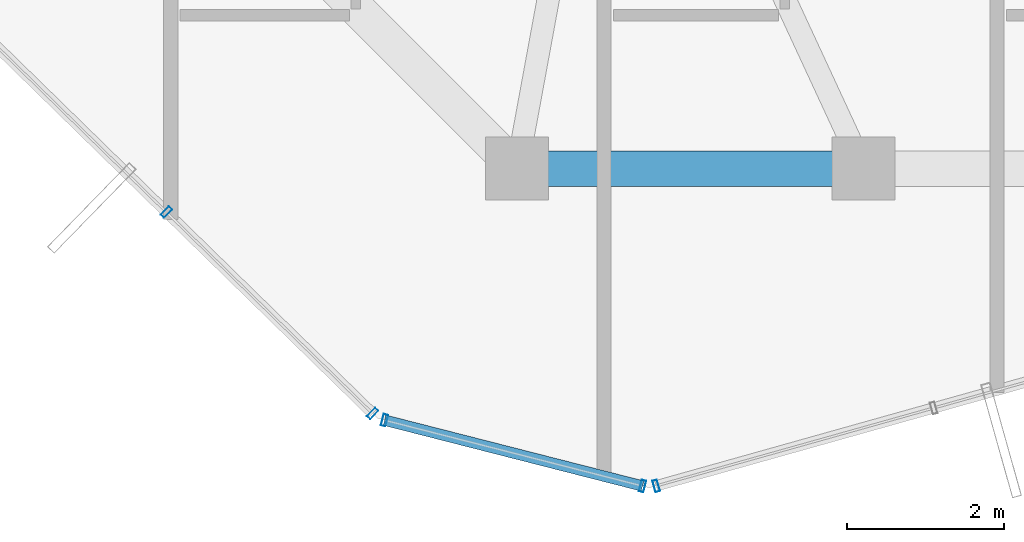
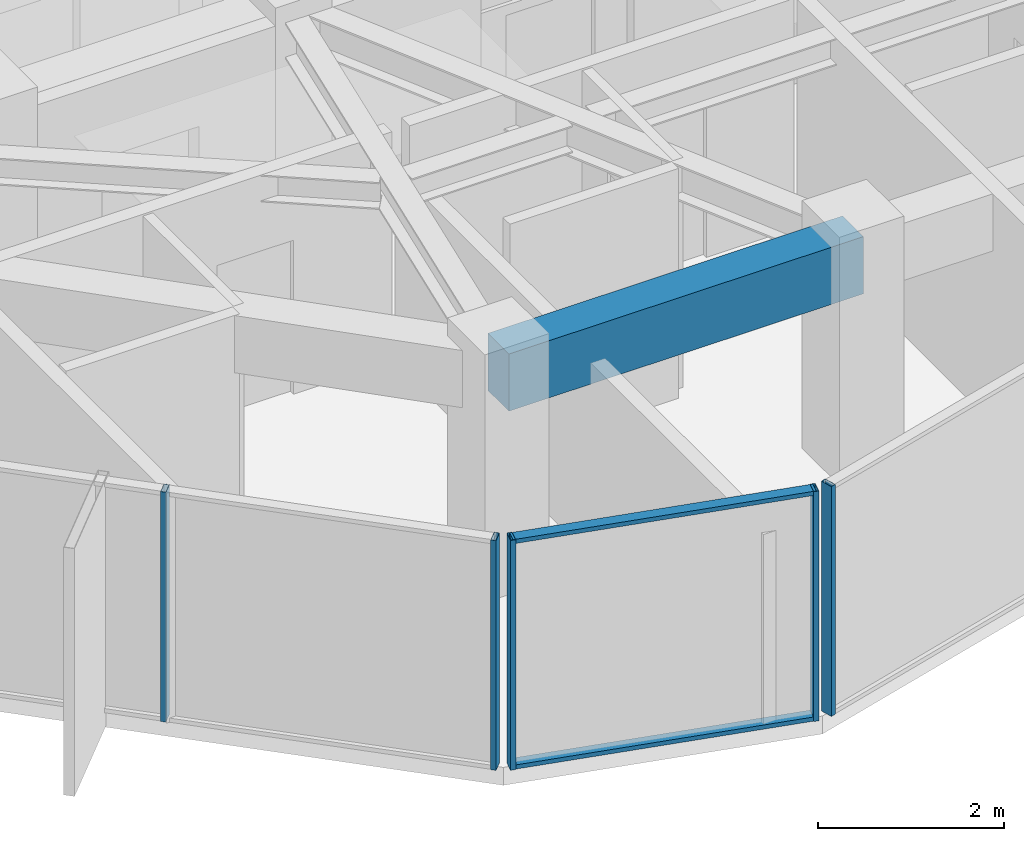
# One storey, part 4 of 29: 7 members, 1 beam, 3 elements without a shape of their own.
"""IFC4 building model written with IfcOpenShell, lengths in metres."""

from ifc_helpers import new_model, si_unit, direction, frame, origin, origin_2d, place, context, subcontext, project, spatial, rectangle, hollow_rectangle, extrude, source, transform, mapped, material, layer, layer_set, material_profile, profile_set, type_object, element, aggregate, save


model = new_model("IFC4")

# Units and contexts
model_context = context("Model", 3, precision=1e-05, world=origin(), true_north=direction((0.0, 1.0)))
body_context = subcontext(model_context, "Body", "Model", "MODEL_VIEW")
ifc_project = project(units=[si_unit("LENGTHUNIT", "METRE"), si_unit("AREAUNIT", "SQUARE_METRE"), si_unit("VOLUMEUNIT", "CUBIC_METRE"), si_unit("PLANEANGLEUNIT", "RADIAN"), si_unit("MASSUNIT", "GRAM", prefix="KILO")], contexts=[model_context])

# Site, building, storey
site_placement = place(None, origin())
site = spatial("IfcSite", under=ifc_project, at=site_placement, CompositionType="ELEMENT")
building_placement = place(site_placement, origin())
building = spatial("IfcBuilding", under=site, at=building_placement, Name="Veraguas Prism Commons", CompositionType="ELEMENT")
storey_placement = place(building_placement, frame((0.0, 0.0, 257.75)))
storey = spatial("IfcBuildingStorey", under=building, at=storey_placement, Name="L73", CompositionType="ELEMENT", Elevation=257.75)

# Beam
ifc_material_1 = material(Name="Concrete C50/60", Category="concrete")
ifc_material_profile_1 = material_profile(ifc_material_1, rectangle(XDim=0.449951171875, YDim=0.75, at=origin_2d()), Name="RC450X750")
ifc_profile_set_1 = profile_set([ifc_material_profile_1], Name="Concrete C50/60")
beam_type = type_object("IfcBeamType", Name="Perimeter Spandrel Upper RC 450x750", PredefinedType="SPANDREL", material=ifc_profile_set_1)
beam_placement = place(storey_placement, frame((19.60009765625, 10.199951171875, 2.639892578125), z_axis=(1.0, 0.0, 0.0), x_axis=(0.0, 1.0, 0.0)))
element("IfcBeam", 1, at=beam_placement, inside=storey, type_object=beam_type, Name="Perimeter Spandrel Beam L73-SP10", PredefinedType="SPANDREL", context=body_context, shape_type="SweptSolid", body=[
    extrude(rectangle(XDim=0.449951171875, YDim=0.75, at=origin_2d()), origin(), (0.0, 0.0, 1.0), 4.39990234375),
])

# Curtain wall, members
ifc_material_2 = material(Name="Anodised aluminium EN AW-6063 T6", Category="aluminium")
ifc_layer = layer(ifc_material_2, 0.14990234375, Name="Unitised Flush Curtain Wall Zone 4", Category="aluminium")
ifc_layer_set = layer_set([ifc_layer], Name="Anodised aluminium EN AW-6063 T6")
curtain_wall_type = type_object("IfcCurtainWallType", Name="Unitised Flush Curtain Wall Zone 4", PredefinedType="NOTDEFINED", material=ifc_layer_set)
curtain_wall_1_placement = place(storey_placement, origin())
curtain_wall_1 = element("IfcCurtainWall", 2, at=curtain_wall_1_placement, inside=storey, type_object=curtain_wall_type, Name="Tower Facade Curtain Wall L73-F4", PredefinedType="NOTDEFINED")
ifc_material_profile_2 = material_profile(ifc_material_2, hollow_rectangle(XDim=0.06005859375, YDim=0.14990234375, WallThickness=0.0029296875, at=origin_2d()), Name="AL60X150X3")
ifc_profile_set_2 = profile_set([ifc_material_profile_2], Name="Anodised aluminium EN AW-6063 T6")
member_type_1 = type_object("IfcMemberType", Name="Curtain Wall Mullion Upper AL 60x150x3", PredefinedType="MULLION", material=ifc_profile_set_2)
shared_shape_1 = source(origin(), body_context, "Body", "SweptSolid", [
    extrude(hollow_rectangle(XDim=0.06005859375, YDim=0.14990234375, WallThickness=0.0029296875, at=origin_2d()), origin(), (0.0, 0.0, 1.0), 3.014892578125),
])
member_1_placement = place(storey_placement, frame((15.14501953125, 9.6484375, 0.0), z_axis=(0.0, 0.0, 1.0), x_axis=(0.715447677779, -0.698666315462, 0.0)))
member_1 = element("IfcMember", 3, at=member_1_placement, type_object=member_type_1, Name="CW-Z4 Mullion 4", PredefinedType="MULLION", context=body_context, shape_type="MappedRepresentation", body=[
    mapped(shared_shape_1, transform((0.0, 0.0, 0.0), scale=1.0)),
])
member_2_placement = place(storey_placement, frame((17.7646484375, 7.09033203125, 0.0), z_axis=(0.0, 0.0, 1.0), x_axis=(0.715447677779, -0.698666315462, 0.0)))
member_2 = element("IfcMember", 4, at=member_2_placement, type_object=member_type_1, Name="CW-Z4 Mullion 5", PredefinedType="MULLION", context=body_context, shape_type="MappedRepresentation", body=[
    mapped(shared_shape_1, transform((0.0, 0.0, 0.0), scale=1.0)),
])
aggregate(curtain_wall_1, [member_1, member_2])

# Curtain wall, member
curtain_wall_2_placement = place(storey_placement, origin())
curtain_wall_2 = element("IfcCurtainWall", 5, at=curtain_wall_2_placement, inside=storey, type_object=curtain_wall_type, Name="Tower Facade Curtain Wall L73-F5", PredefinedType="NOTDEFINED")
member_3_placement = place(storey_placement, frame((21.36767578125, 6.17041015625, 0.0), z_axis=(0.0, 0.0, 1.0), x_axis=(0.962784730035, 0.270269427816, 0.0)))
member_3 = element("IfcMember", 6, at=member_3_placement, type_object=member_type_1, Name="CW-Z4 Mullion 1", PredefinedType="MULLION", context=body_context, shape_type="MappedRepresentation", body=[
    mapped(shared_shape_1, transform((0.0, 0.0, 0.0), scale=1.0)),
])
aggregate(curtain_wall_2, [member_3])

# Curtain wall, members
curtain_wall_3_placement = place(storey_placement, origin())
curtain_wall_3 = element("IfcCurtainWall", 7, at=curtain_wall_3_placement, inside=storey, type_object=curtain_wall_type, Name="Chamfer Curtain Wall L73-C5", PredefinedType="NOTDEFINED")
member_4_placement = place(storey_placement, frame((17.916259765625, 7.005126953125, 0.0), z_axis=(0.0, 0.0, 1.0), x_axis=(0.968922546116, -0.247364305486, 0.0)))
member_4 = element("IfcMember", 8, at=member_4_placement, type_object=member_type_1, Name="CW-Z4 Mullion 1", PredefinedType="MULLION", context=body_context, shape_type="MappedRepresentation", body=[
    mapped(shared_shape_1, transform((0.0, 0.0, 0.0), scale=1.0)),
])
member_5_placement = place(storey_placement, frame((21.19384765625, 6.16845703125, 0.0), z_axis=(0.0, 0.0, 1.0), x_axis=(0.968922546116, -0.247364305486, 0.0)))
member_5 = element("IfcMember", 9, at=member_5_placement, type_object=member_type_1, Name="CW-Z4 Mullion 2", PredefinedType="MULLION", context=body_context, shape_type="MappedRepresentation", body=[
    mapped(shared_shape_1, transform((0.0, 0.0, 0.0), scale=1.0)),
])
ifc_material_profile_3 = material_profile(ifc_material_2, hollow_rectangle(XDim=0.054931640625, YDim=0.135009765625, WallThickness=0.0029296875, at=origin_2d()), Name="AL55X135X3")
ifc_profile_set_3 = profile_set([ifc_material_profile_3], Name="Anodised aluminium EN AW-6063 T6")
member_type_2 = type_object("IfcMemberType", Name="Curtain Wall Transom Standard AL 55x135x3", PredefinedType="USERDEFINED", material=ifc_profile_set_3)
shared_shape_2 = source(origin(), body_context, "Body", "SweptSolid", [
    extrude(hollow_rectangle(XDim=0.054931640625, YDim=0.135009765625, WallThickness=0.0029296875, at=origin_2d()), origin(), (0.0, 0.0, 1.0), 3.3828125),
])
member_6_placement = place(storey_placement, frame((17.916259765625, 7.005126953125, 0.027587890625), z_axis=(0.968929119938, -0.24733855449, 0.0), x_axis=(0.0, 0.0, 1.0)))
member_6 = element("IfcMember", 10, at=member_6_placement, type_object=member_type_2, Name="CW-Z4 Transom 1", ObjectType="TRANSOM", PredefinedType="USERDEFINED", context=body_context, shape_type="MappedRepresentation", body=[
    mapped(shared_shape_2, transform((0.0, 0.0, 0.0), scale=1.0)),
])
member_7_placement = place(storey_placement, frame((17.916259765625, 7.005126953125, 2.987548828125), z_axis=(0.968929119938, -0.24733855449, 0.0), x_axis=(0.0, 0.0, 1.0)))
member_7 = element("IfcMember", 11, at=member_7_placement, type_object=member_type_2, Name="CW-Z4 Transom 2", ObjectType="TRANSOM", PredefinedType="USERDEFINED", context=body_context, shape_type="MappedRepresentation", body=[
    mapped(shared_shape_2, transform((0.0, 0.0, 0.0), scale=1.0)),
])
aggregate(curtain_wall_3, [member_4, member_5, member_6, member_7])

save(model, "model.ifc")
